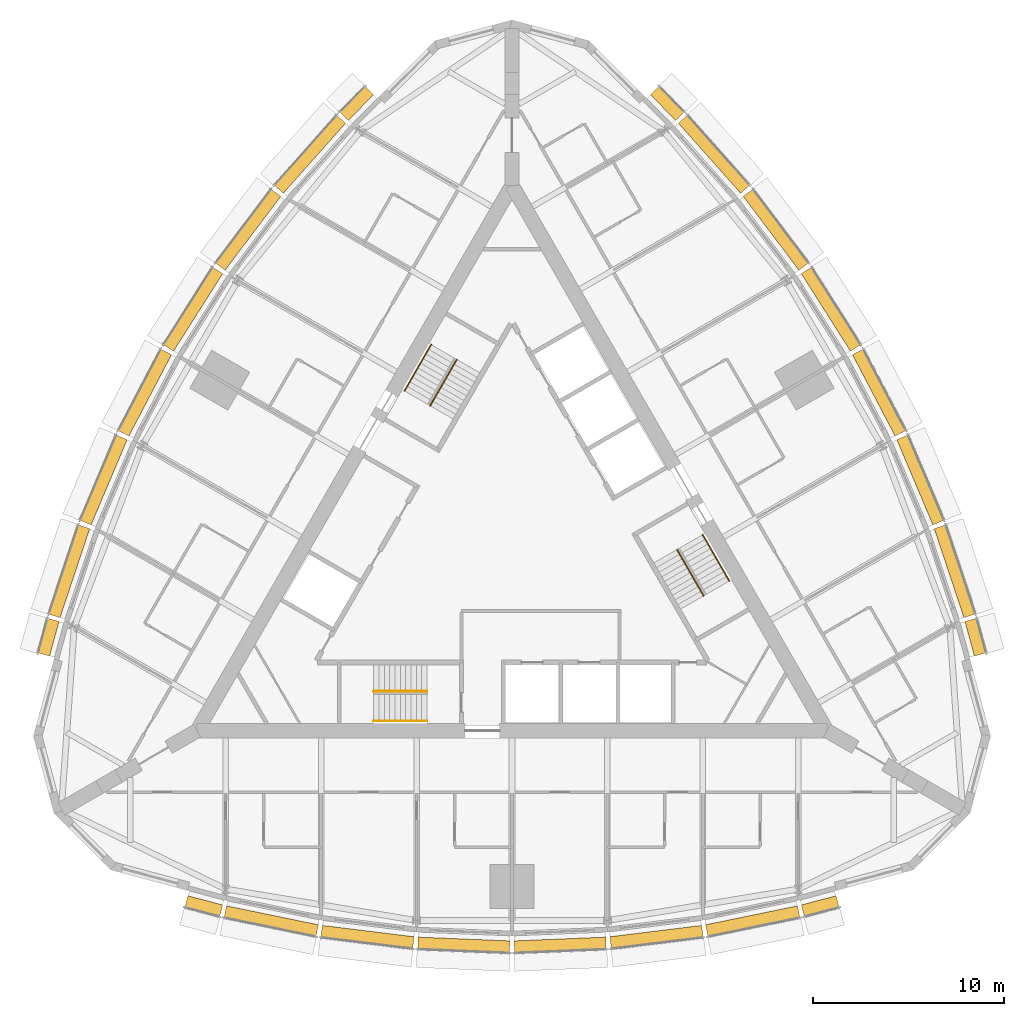
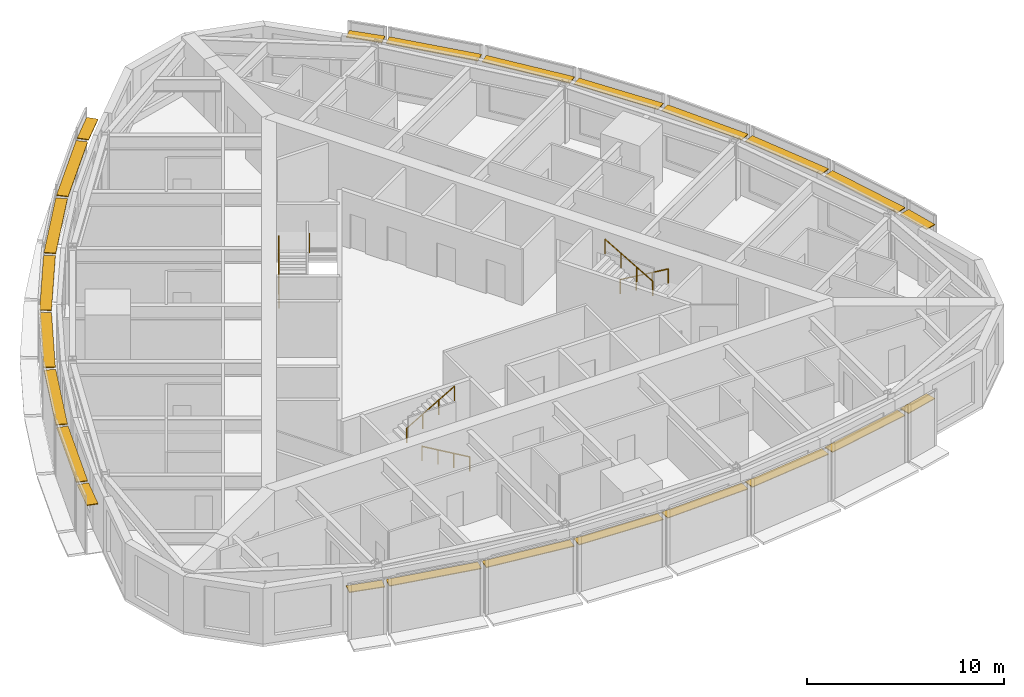
# One storey, part 15 of 15: 24 shading devices, 6 railings.
"""IFC4 building model written with IfcOpenShell, lengths in metres."""

import ifcopenshell
import ifcopenshell.guid

model = None  # the IFC model being written
_history = None  # IfcOwnerHistory: only IFC2X3 demands one
_inside = {}  # id of a spatial element -> (the spatial element, [elements in it])
_under = {}  # id of a project, library or spatial element -> (it, [spatial elements below it])
_declared = {}  # id of a project -> (the project, [libraries it declares])
_typed = {}  # id of a type object -> (the type object, [elements of that type])
_made_of = {}  # id of a material, layer set ... -> (it, [elements and type objects made of it])


def new_model(schema):
    """Start an empty IFC model of exactly this schema.

    Asked for "IFC4X3", IfcOpenShell would pick the latest addendum, in which some entities
    have other attributes; the version numbers below select the first issue.
    IFC2X3 requires an IfcOwnerHistory on every rooted entity: one is made here for all.
    """
    global model, _history
    if schema == "IFC4X3":
        model = ifcopenshell.file(schema_version=(4, 3, 0, 0))
    else:
        model = ifcopenshell.file(schema=schema)
    _inside.clear()
    _under.clear()
    _declared.clear()
    _typed.clear()
    _made_of.clear()
    _history = None
    if model.schema == "IFC2X3":
        org = make("IfcOrganization", Name="unknown")
        user = make(
            "IfcPersonAndOrganization",
            ThePerson=make("IfcPerson", FamilyName="unknown"),
            TheOrganization=org,
        )
        app = make(
            "IfcApplication",
            ApplicationDeveloper=org,
            Version="unknown",
            ApplicationFullName="unknown",
            ApplicationIdentifier="unknown",
        )
        _history = make(
            "IfcOwnerHistory",
            OwningUser=user,
            OwningApplication=app,
            ChangeAction="ADDED",
            CreationDate=0,
        )
    return model


def make(cls, **values):
    """One entity of the class cls with the attributes given. An attribute that is None is left unset."""
    return model.create_entity(
        cls, **{name: value for name, value in values.items() if value is not None}
    )


def rooted(cls, **values):
    """An entity with a GlobalId (a new one), such as an element, a storey or a relation."""
    return make(cls, GlobalId=ifcopenshell.guid.new(), OwnerHistory=_history, **values)


def si_unit(unit_type, name, prefix=None):
    """IfcSIUnit, for example si_unit("LENGTHUNIT", "METRE", prefix="MILLI")."""
    return make("IfcSIUnit", UnitType=unit_type, Prefix=prefix, Name=name)


def assignment(units):
    """IfcUnitAssignment: the units of a project."""
    return None if units is None else make("IfcUnitAssignment", Units=units)


def point(xyz):
    """IfcCartesianPoint."""
    return None if xyz is None else make("IfcCartesianPoint", Coordinates=xyz)


def direction(xyz):
    """IfcDirection."""
    return None if xyz is None else make("IfcDirection", DirectionRatios=xyz)


def frame(location, z_axis=None, x_axis=None):
    """IfcAxis2Placement3D, a coordinate frame: its origin and axes. An axis left out is left unset."""
    return make(
        "IfcAxis2Placement3D",
        Location=point(location),
        Axis=direction(z_axis),
        RefDirection=direction(x_axis),
    )


def frame_2d(location, x_axis=None):
    """IfcAxis2Placement2D, a coordinate frame in the plane: its origin and x axis."""
    return make(
        "IfcAxis2Placement2D", Location=point(location), RefDirection=direction(x_axis)
    )


def origin():
    """The frame at (0, 0, 0) with its axes left unset."""
    return frame((0.0, 0.0, 0.0))


def origin_2d():
    """The frame at (0, 0) in the plane with its x axis left unset."""
    return frame_2d((0.0, 0.0))


def place(relative_to, where):
    """IfcLocalPlacement: puts the frame where relative to a parent placement (None: the world)."""
    return make(
        "IfcLocalPlacement", PlacementRelTo=relative_to, RelativePlacement=where
    )


def context(
    kind, dimensions, precision=None, world=None, true_north=None, identifier=None
):
    """IfcGeometricRepresentationContext, for example the 3D "Model" context."""
    return make(
        "IfcGeometricRepresentationContext",
        ContextIdentifier=identifier,
        ContextType=kind,
        CoordinateSpaceDimension=dimensions,
        Precision=precision,
        WorldCoordinateSystem=world,
        TrueNorth=true_north,
    )


def subcontext(parent, identifier, kind, view, scale=None):
    """IfcGeometricRepresentationSubContext, for example "Body" below "Model"."""
    return make(
        "IfcGeometricRepresentationSubContext",
        ContextIdentifier=identifier,
        ContextType=kind,
        ParentContext=parent,
        TargetScale=scale,
        TargetView=view,
    )


def project(units=None, contexts=None):
    """IfcProject with its units and contexts."""
    return rooted(
        "IfcProject",
        Name="project",
        RepresentationContexts=contexts,
        UnitsInContext=assignment(units),
    )


def spatial(cls, under=None, at=None, **own):
    """A site, building, storey or space (cls), placed at a placement, below another one or the project."""
    s = rooted(cls, ObjectPlacement=at, **own)
    if under is not None:
        _under.setdefault(under.id(), (under, []))[1].append(s)
    return s


def profile(cls, at=None, kind="AREA", **sizes):
    """A parametric profile (cls). Its sizes go by their IFC names, for example OverallWidth=200.0."""
    return make(cls, ProfileType=kind, Position=at, **sizes)


def rectangle(**sizes):
    """IfcRectangleProfileDef."""
    return profile("IfcRectangleProfileDef", **sizes)


def circle(**sizes):
    """IfcCircleProfileDef."""
    return profile("IfcCircleProfileDef", **sizes)


def extrude(swept, where, along, depth):
    """IfcExtrudedAreaSolid: the profile swept, set in the frame where, extruded along a direction by depth."""
    return make(
        "IfcExtrudedAreaSolid",
        SweptArea=swept,
        Position=where,
        ExtrudedDirection=direction(along),
        Depth=depth,
    )


def shape(context_of_items, identifier, shape_type, items):
    """IfcShapeRepresentation: the items that make up one representation, for example the "Body"."""
    return make(
        "IfcShapeRepresentation",
        ContextOfItems=context_of_items,
        RepresentationIdentifier=identifier,
        RepresentationType=shape_type,
        Items=items,
    )


def material(Name=None, Category=None):
    """IfcMaterial."""
    return make("IfcMaterial", Name=Name, Category=Category)


def made_of(thing, what):
    """Note that an element or type object is made of a material, layer set ...; save() writes the relation."""
    if what is not None:
        _made_of.setdefault(what.id(), (what, []))[1].append(thing)
    return thing


def type_object(cls, material=None, **own):
    """A type object (cls), such as IfcWallType, which elements share."""
    return made_of(rooted(cls, **own), material)


def element(
    cls,
    number,
    at=None,
    inside=None,
    cuts=None,
    type_object=None,
    material=None,
    context=None,
    identifier="Body",
    shape_type=None,
    held_by="IfcProductDefinitionShape",
    body=None,
    shapes=None,
    **own,
):
    """One element of the class cls, such as IfcWall. Its Tag is "e" and its number.

    at: its placement. inside: the storey or other place that contains it. cuts: it is an
    opening in that element (IfcRelVoidsElement). A single representation is given by context,
    identifier, shape_type and body (its items); several are given by shapes. held_by: the class
    of the entity that holds the representations. save() writes the other relations.
    """
    e = rooted(cls, Tag="e%d" % number, ObjectPlacement=at, **own)
    if body is not None:
        shapes = [shape(context, identifier, shape_type, body)]
    if shapes is not None:
        e.Representation = make(held_by, Representations=shapes)
    if inside is not None:
        _inside.setdefault(inside.id(), (inside, []))[1].append(e)
    if cuts is not None:
        rooted(
            "IfcRelVoidsElement", RelatingBuildingElement=cuts, RelatedOpeningElement=e
        )
    if type_object is not None:
        _typed.setdefault(type_object.id(), (type_object, []))[1].append(e)
    return made_of(e, material)


def aggregate(whole, parts):
    """IfcRelAggregates: a whole, such as a stair, and the parts it consists of."""
    return rooted("IfcRelAggregates", RelatingObject=whole, RelatedObjects=parts)


def save(model, path):
    """Write the relations noted so far, then the file.

    IfcRelAggregates (storeys below a building ...), IfcRelContainedInSpatialStructure (elements
    in a storey), IfcRelDefinesByType, IfcRelAssociatesMaterial and IfcRelDeclares: one each for
    every whole, place, type object, material and project.
    """
    for whole, parts in _under.values():
        aggregate(whole, parts)
    for where, things in _inside.values():
        rooted(
            "IfcRelContainedInSpatialStructure",
            RelatedElements=things,
            RelatingStructure=where,
        )
    for kind, things in _typed.values():
        rooted("IfcRelDefinesByType", RelatedObjects=things, RelatingType=kind)
    for what, things in _made_of.values():
        rooted("IfcRelAssociatesMaterial", RelatedObjects=things, RelatingMaterial=what)
    for by, libraries in _declared.values():
        rooted("IfcRelDeclares", RelatingContext=by, RelatedDefinitions=libraries)
    model.write(path)


model = new_model("IFC4")

# Units and contexts
model_context = context("Model", 3, precision=1e-05, world=origin(), true_north=direction((0.0, 1.0)))
body_context = subcontext(model_context, "Body", "Model", "MODEL_VIEW")
ifc_project = project(units=[si_unit("LENGTHUNIT", "METRE"), si_unit("AREAUNIT", "SQUARE_METRE"), si_unit("VOLUMEUNIT", "CUBIC_METRE"), si_unit("PLANEANGLEUNIT", "RADIAN"), si_unit("MASSUNIT", "GRAM", prefix="KILO")], contexts=[model_context])

# Site, building, storey
site_placement = place(None, origin())
site = spatial("IfcSite", under=ifc_project, at=site_placement, CompositionType="ELEMENT")
building_placement = place(site_placement, origin())
building = spatial("IfcBuilding", under=site, at=building_placement, Name="Trikona Tower", CompositionType="ELEMENT")
storey_placement = place(building_placement, frame((0.0, 0.0, 222.5)))
storey = spatial("IfcBuildingStorey", under=building, at=storey_placement, Name="L59", CompositionType="ELEMENT", Elevation=222.5)

# Shading devices
ifc_material_1 = material(Name="Aluminium louvre blade, pale anodised", Category="aluminium")
shading_device_type = type_object("IfcShadingDeviceType", Name="Cavity louvre 600", PredefinedType="USERDEFINED", material=ifc_material_1)
shading_device_1_placement = place(storey_placement, frame((-16.14404296875, -18.707763671875, 2.97509765625), z_axis=(0.0, 0.0, 1.0), x_axis=(0.966993038714, -0.254802792527, 0.0)))
element("IfcShadingDevice", 1, at=shading_device_1_placement, inside=storey, type_object=shading_device_type, Name="Cavity louvre L59-00", ObjectType="LOUVRE", PredefinedType="USERDEFINED", context=body_context, shape_type="SweptSolid", body=[
    extrude(rectangle(XDim=1.87841796875, YDim=0.60009765625, at=origin_2d()), origin(), (0.0, 0.0, 1.0), 0.050048828125),
])
shading_device_2_placement = place(storey_placement, frame((-12.614013671875, -19.492919921875, 2.97509765625), z_axis=(0.0, 0.0, 1.0), x_axis=(0.979457514864, -0.201650629992, 0.0)))
element("IfcShadingDevice", 2, at=shading_device_2_placement, inside=storey, type_object=shading_device_type, Name="Cavity louvre L59-01", ObjectType="LOUVRE", PredefinedType="USERDEFINED", context=body_context, shape_type="SweptSolid", body=[
    extrude(rectangle(XDim=4.914794921875, YDim=0.60009765625, at=origin_2d()), origin(), (0.0, 0.0, 1.0), 0.050048828125),
])
shading_device_3_placement = place(storey_placement, frame((-7.5693359375, -20.323974609375, 2.97509765625), z_axis=(0.0, 0.0, 1.0), x_axis=(0.992455266199, -0.122607277901, 0.0)))
element("IfcShadingDevice", 3, at=shading_device_3_placement, inside=storey, type_object=shading_device_type, Name="Cavity louvre L59-02", ObjectType="LOUVRE", PredefinedType="USERDEFINED", context=body_context, shape_type="SweptSolid", body=[
    extrude(rectangle(XDim=4.847900390625, YDim=0.60009765625, at=origin_2d()), origin(), (0.0, 0.0, 1.0), 0.050048828125),
])
for number, where, z_axis, x_axis, name in (
    (4, (-2.523193359375, -20.739501953125, 2.97509765625), (0.0, 0.0, 1.0), (0.999153186307, -0.041144991109, 0.0), "Cavity louvre L59-03"),
    (5, (2.523193359375, -20.739501953125, 2.97509765625), (0.0, 0.0, 1.0), (0.999153186307, 0.041144991109, 0.0), "Cavity louvre L59-04"),
):
    element("IfcShadingDevice", number, at=place(storey_placement, frame(where, z_axis=z_axis, x_axis=x_axis)), inside=storey, type_object=shading_device_type, Name=name, ObjectType="LOUVRE", PredefinedType="USERDEFINED", context=body_context, shape_type="SweptSolid", body=[
        extrude(rectangle(XDim=4.814208984375, YDim=0.60009765625, at=origin_2d()), origin(), (0.0, 0.0, 1.0), 0.050048828125),
    ])
shading_device_4_placement = place(storey_placement, frame((7.5693359375, -20.323974609375, 2.97509765625), z_axis=(0.0, 0.0, 1.0), x_axis=(0.992455266199, 0.122607277901, 0.0)))
element("IfcShadingDevice", 6, at=shading_device_4_placement, inside=storey, type_object=shading_device_type, Name="Cavity louvre L59-05", ObjectType="LOUVRE", PredefinedType="USERDEFINED", context=body_context, shape_type="SweptSolid", body=[
    extrude(rectangle(XDim=4.847900390625, YDim=0.60009765625, at=origin_2d()), origin(), (0.0, 0.0, 1.0), 0.050048828125),
])
shading_device_5_placement = place(storey_placement, frame((12.614013671875, -19.492919921875, 2.97509765625), z_axis=(0.0, 0.0, 1.0), x_axis=(0.979457514864, 0.201650629992, 0.0)))
element("IfcShadingDevice", 7, at=shading_device_5_placement, inside=storey, type_object=shading_device_type, Name="Cavity louvre L59-06", ObjectType="LOUVRE", PredefinedType="USERDEFINED", context=body_context, shape_type="SweptSolid", body=[
    extrude(rectangle(XDim=4.914794921875, YDim=0.60009765625, at=origin_2d()), origin(), (0.0, 0.0, 1.0), 0.050048828125),
])
for number, where, z_axis, x_axis, name in (
    (8, (16.14404296875, -18.707763671875, 2.97509765625), (0.0, 0.0, 1.0), (0.966993038714, 0.254802792527, 0.0), "Cavity louvre L59-07"),
    (9, (24.273193359375, -4.627197265625, 2.97509765625), (0.0, 0.0, 1.0), (-0.262822408229, 0.964844226667, 0.0), "Cavity louvre L59-12"),
):
    element("IfcShadingDevice", number, at=place(storey_placement, frame(where, z_axis=z_axis, x_axis=x_axis)), inside=storey, type_object=shading_device_type, Name=name, ObjectType="LOUVRE", PredefinedType="USERDEFINED", context=body_context, shape_type="SweptSolid", body=[
        extrude(rectangle(XDim=1.87841796875, YDim=0.60009765625, at=origin_2d()), origin(), (0.0, 0.0, 1.0), 0.050048828125),
    ])
shading_device_6_placement = place(storey_placement, frame((23.1884765625, -1.177490234375, 2.97509765625), z_axis=(0.0, 0.0, 1.0), x_axis=(-0.315092532747, 0.949060954737, 0.0)))
element("IfcShadingDevice", 10, at=shading_device_6_placement, inside=storey, type_object=shading_device_type, Name="Cavity louvre L59-13", ObjectType="LOUVRE", PredefinedType="USERDEFINED", context=body_context, shape_type="SweptSolid", body=[
    extrude(rectangle(XDim=4.914794921875, YDim=0.60009765625, at=origin_2d()), origin(), (0.0, 0.0, 1.0), 0.050048828125),
])
shading_device_7_placement = place(storey_placement, frame((21.385498046875, 3.606689453125, 2.97509765625), z_axis=(0.0, 0.0, 1.0), x_axis=(-0.390051437015, 0.920793069306, 0.0)))
element("IfcShadingDevice", 11, at=shading_device_7_placement, inside=storey, type_object=shading_device_type, Name="Cavity louvre L59-14", ObjectType="LOUVRE", PredefinedType="USERDEFINED", context=body_context, shape_type="SweptSolid", body=[
    extrude(rectangle(XDim=4.847900390625, YDim=0.60009765625, at=origin_2d()), origin(), (0.0, 0.0, 1.0), 0.050048828125),
])
for number, where, z_axis, x_axis, name in (
    (12, (19.222412109375, 8.1845703125, 2.97509765625), (0.0, 0.0, 1.0), (-0.463951716224, 0.885860488459, 0.0), "Cavity louvre L59-15"),
    (13, (16.69921875, 12.554931640625, 2.97509765625), (0.0, 0.0, 1.0), (-0.535204777743, 0.844722348397, 0.0), "Cavity louvre L59-16"),
):
    element("IfcShadingDevice", number, at=place(storey_placement, frame(where, z_axis=z_axis, x_axis=x_axis)), inside=storey, type_object=shading_device_type, Name=name, ObjectType="LOUVRE", PredefinedType="USERDEFINED", context=body_context, shape_type="SweptSolid", body=[
        extrude(rectangle(XDim=4.814208984375, YDim=0.60009765625, at=origin_2d()), origin(), (0.0, 0.0, 1.0), 0.050048828125),
    ])
shading_device_8_placement = place(storey_placement, frame((13.81640625, 16.717041015625, 2.97509765625), z_axis=(0.0, 0.0, 1.0), x_axis=(-0.602401684924, 0.798193090674, 0.0)))
element("IfcShadingDevice", 14, at=shading_device_8_placement, inside=storey, type_object=shading_device_type, Name="Cavity louvre L59-17", ObjectType="LOUVRE", PredefinedType="USERDEFINED", context=body_context, shape_type="SweptSolid", body=[
    extrude(rectangle(XDim=4.847900390625, YDim=0.60009765625, at=origin_2d()), origin(), (0.0, 0.0, 1.0), 0.050048828125),
])
shading_device_9_placement = place(storey_placement, frame((10.574462890625, 20.67041015625, 2.97509765625), z_axis=(0.0, 0.0, 1.0), x_axis=(-0.664367239113, 0.747406296196, 0.0)))
element("IfcShadingDevice", 15, at=shading_device_9_placement, inside=storey, type_object=shading_device_type, Name="Cavity louvre L59-18", ObjectType="LOUVRE", PredefinedType="USERDEFINED", context=body_context, shape_type="SweptSolid", body=[
    extrude(rectangle(XDim=4.914794921875, YDim=0.60009765625, at=origin_2d()), origin(), (0.0, 0.0, 1.0), 0.050048828125),
])
for number, where, z_axis, x_axis, name in (
    (16, (8.12939453125, 23.3349609375, 2.97509765625), (0.0, 0.0, 1.0), (-0.704151057285, 0.710050201412, 0.0), "Cavity louvre L59-19"),
    (17, (-8.12939453125, 23.3349609375, 2.97509765625), (0.0, 0.0, 1.0), (-0.704151057285, -0.710050201412, 0.0), "Cavity louvre L59-24"),
):
    element("IfcShadingDevice", number, at=place(storey_placement, frame(where, z_axis=z_axis, x_axis=x_axis)), inside=storey, type_object=shading_device_type, Name=name, ObjectType="LOUVRE", PredefinedType="USERDEFINED", context=body_context, shape_type="SweptSolid", body=[
        extrude(rectangle(XDim=1.87841796875, YDim=0.60009765625, at=origin_2d()), origin(), (0.0, 0.0, 1.0), 0.050048828125),
    ])
shading_device_10_placement = place(storey_placement, frame((-10.574462890625, 20.67041015625, 2.97509765625), z_axis=(0.0, 0.0, 1.0), x_axis=(-0.664367239113, -0.747406296196, 0.0)))
element("IfcShadingDevice", 18, at=shading_device_10_placement, inside=storey, type_object=shading_device_type, Name="Cavity louvre L59-25", ObjectType="LOUVRE", PredefinedType="USERDEFINED", context=body_context, shape_type="SweptSolid", body=[
    extrude(rectangle(XDim=4.914794921875, YDim=0.60009765625, at=origin_2d()), origin(), (0.0, 0.0, 1.0), 0.050048828125),
])
shading_device_11_placement = place(storey_placement, frame((-13.81640625, 16.717041015625, 2.97509765625), z_axis=(0.0, 0.0, 1.0), x_axis=(-0.602401684924, -0.798193090674, 0.0)))
element("IfcShadingDevice", 19, at=shading_device_11_placement, inside=storey, type_object=shading_device_type, Name="Cavity louvre L59-26", ObjectType="LOUVRE", PredefinedType="USERDEFINED", context=body_context, shape_type="SweptSolid", body=[
    extrude(rectangle(XDim=4.847900390625, YDim=0.60009765625, at=origin_2d()), origin(), (0.0, 0.0, 1.0), 0.050048828125),
])
for number, where, z_axis, x_axis, name in (
    (20, (-16.69921875, 12.554931640625, 2.97509765625), (0.0, 0.0, 1.0), (-0.535204777743, -0.844722348397, 0.0), "Cavity louvre L59-27"),
    (21, (-19.222412109375, 8.1845703125, 2.97509765625), (0.0, 0.0, 1.0), (-0.463951716224, -0.885860488459, 0.0), "Cavity louvre L59-28"),
):
    element("IfcShadingDevice", number, at=place(storey_placement, frame(where, z_axis=z_axis, x_axis=x_axis)), inside=storey, type_object=shading_device_type, Name=name, ObjectType="LOUVRE", PredefinedType="USERDEFINED", context=body_context, shape_type="SweptSolid", body=[
        extrude(rectangle(XDim=4.814208984375, YDim=0.60009765625, at=origin_2d()), origin(), (0.0, 0.0, 1.0), 0.050048828125),
    ])
shading_device_12_placement = place(storey_placement, frame((-21.385498046875, 3.606689453125, 2.97509765625), z_axis=(0.0, 0.0, 1.0), x_axis=(-0.390051437015, -0.920793069306, 0.0)))
element("IfcShadingDevice", 22, at=shading_device_12_placement, inside=storey, type_object=shading_device_type, Name="Cavity louvre L59-29", ObjectType="LOUVRE", PredefinedType="USERDEFINED", context=body_context, shape_type="SweptSolid", body=[
    extrude(rectangle(XDim=4.847900390625, YDim=0.60009765625, at=origin_2d()), origin(), (0.0, 0.0, 1.0), 0.050048828125),
])
shading_device_13_placement = place(storey_placement, frame((-23.1884765625, -1.177490234375, 2.97509765625), z_axis=(0.0, 0.0, 1.0), x_axis=(-0.315092532747, -0.949060954737, 0.0)))
element("IfcShadingDevice", 23, at=shading_device_13_placement, inside=storey, type_object=shading_device_type, Name="Cavity louvre L59-30", ObjectType="LOUVRE", PredefinedType="USERDEFINED", context=body_context, shape_type="SweptSolid", body=[
    extrude(rectangle(XDim=4.914794921875, YDim=0.60009765625, at=origin_2d()), origin(), (0.0, 0.0, 1.0), 0.050048828125),
])
shading_device_14_placement = place(storey_placement, frame((-24.273193359375, -4.627197265625, 2.97509765625), z_axis=(0.0, 0.0, 1.0), x_axis=(-0.262822408229, -0.964844226667, 0.0)))
element("IfcShadingDevice", 24, at=shading_device_14_placement, inside=storey, type_object=shading_device_type, Name="Cavity louvre L59-31", ObjectType="LOUVRE", PredefinedType="USERDEFINED", context=body_context, shape_type="SweptSolid", body=[
    extrude(rectangle(XDim=1.87841796875, YDim=0.60009765625, at=origin_2d()), origin(), (0.0, 0.0, 1.0), 0.050048828125),
])

# Railings
ifc_material_2 = material(Name="Stainless steel handrail", Category="steel")
railing_type = type_object("IfcRailingType", Name="Stair handrail", PredefinedType="HANDRAIL", material=ifc_material_2)
railing_1_placement = place(storey_placement, frame((-4.449951171875, -9.016357421875, 0.16357421875)))
element("IfcRailing", 25, at=railing_1_placement, inside=storey, type_object=railing_type, Name="Stair handrail A L59 1", PredefinedType="HANDRAIL", context=body_context, shape_type="SweptSolid", body=[
    extrude(circle(Radius=0.02392578125, at=origin_2d()), frame((0.0, 0.0, 0.8759765625), z_axis=(-0.863360870873, 0.0, 0.504586966384), x_axis=(0.0, -1.0, 0.0)), (0.0, 0.0, 1.0), 3.2431640625),
    extrude(circle(Radius=0.02099609375, at=origin_2d()), origin(), (0.0, 0.0, 1.0), 0.851806640625),
    extrude(circle(Radius=0.02099609375, at=origin_2d()), frame((-0.933349609375, 0.0, 0.54541015625)), (0.0, 0.0, 1.0), 0.851806640625),
    extrude(circle(Radius=0.02099609375, at=origin_2d()), frame((-1.86669921875, 0.0, 1.091064453125)), (0.0, 0.0, 1.0), 0.851806640625),
    extrude(circle(Radius=0.02099609375, at=origin_2d()), frame((-2.800048828125, 0.0, 1.636474609375)), (0.0, 0.0, 1.0), 0.851806640625),
])
railing_2_placement = place(storey_placement, frame((-7.25, -7.46630859375, 1.963623046875)))
element("IfcRailing", 26, at=railing_2_placement, inside=storey, type_object=railing_type, Name="Stair handrail A L59 2", PredefinedType="HANDRAIL", context=body_context, shape_type="SweptSolid", body=[
    extrude(circle(Radius=0.02392578125, at=origin_2d()), frame((0.0, 0.0, 0.8759765625), z_axis=(0.863360870873, 0.0, 0.504586966384), x_axis=(0.0, 1.0, 0.0)), (0.0, 0.0, 1.0), 3.2431640625),
    extrude(circle(Radius=0.02099609375, at=origin_2d()), origin(), (0.0, 0.0, 1.0), 0.851806640625),
    extrude(circle(Radius=0.02099609375, at=origin_2d()), frame((0.933349609375, 0.0, 0.54541015625)), (0.0, 0.0, 1.0), 0.851806640625),
    extrude(circle(Radius=0.02099609375, at=origin_2d()), frame((1.86669921875, 0.0, 1.091064453125)), (0.0, 0.0, 1.0), 0.851806640625),
    extrude(circle(Radius=0.02099609375, at=origin_2d()), frame((2.800048828125, 0.0, 1.636474609375)), (0.0, 0.0, 1.0), 0.851806640625),
])
railing_3_placement = place(storey_placement, frame((9.9833984375, 0.740966796875, 0.16357421875)))
element("IfcRailing", 27, at=railing_3_placement, inside=storey, type_object=railing_type, Name="Stair handrail B L59 1", PredefinedType="HANDRAIL", context=body_context, shape_type="SweptSolid", body=[
    extrude(circle(Radius=0.02392578125, at=origin_2d()), frame((0.0, 0.0, 0.8759765625), z_axis=(0.431636334334, -0.747723004699, 0.504579412111), x_axis=(0.866056369097, 0.49994636267, 0.0)), (0.0, 0.0, 1.0), 3.2431640625),
    extrude(circle(Radius=0.02099609375, at=origin_2d()), origin(), (0.0, 0.0, 1.0), 0.851806640625),
    extrude(circle(Radius=0.02099609375, at=origin_2d()), frame((0.466552734375, -0.808349609375, 0.54541015625)), (0.0, 0.0, 1.0), 0.851806640625),
    extrude(circle(Radius=0.02099609375, at=origin_2d()), frame((0.933349609375, -1.61669921875, 1.091064453125)), (0.0, 0.0, 1.0), 0.851806640625),
    extrude(circle(Radius=0.02099609375, at=origin_2d()), frame((1.39990234375, -2.425048828125, 1.636474609375)), (0.0, 0.0, 1.0), 0.851806640625),
])
railing_4_placement = place(storey_placement, frame((10.041015625, -2.458984375, 1.963623046875)))
element("IfcRailing", 28, at=railing_4_placement, inside=storey, type_object=railing_type, Name="Stair handrail B L59 2", PredefinedType="HANDRAIL", context=body_context, shape_type="SweptSolid", body=[
    extrude(circle(Radius=0.02392578125, at=origin_2d()), frame((0.0, 0.0, 0.8759765625), z_axis=(-0.431636334334, 0.747723004699, 0.504579412111), x_axis=(-0.866056369097, -0.49994636267, 0.0)), (0.0, 0.0, 1.0), 3.2431640625),
    extrude(circle(Radius=0.02099609375, at=origin_2d()), origin(), (0.0, 0.0, 1.0), 0.851806640625),
    extrude(circle(Radius=0.02099609375, at=origin_2d()), frame((-0.466552734375, 0.808349609375, 0.54541015625)), (0.0, 0.0, 1.0), 0.851806640625),
    extrude(circle(Radius=0.02099609375, at=origin_2d()), frame((-0.933349609375, 1.61669921875, 1.091064453125)), (0.0, 0.0, 1.0), 0.851806640625),
    extrude(circle(Radius=0.02099609375, at=origin_2d()), frame((-1.39990234375, 2.425048828125, 1.636474609375)), (0.0, 0.0, 1.0), 0.851806640625),
])
railing_5_placement = place(storey_placement, frame((-5.63330078125, 8.275390625, 0.16357421875)))
element("IfcRailing", 29, at=railing_5_placement, inside=storey, type_object=railing_type, Name="Stair handrail C L59 1", PredefinedType="HANDRAIL", context=body_context, shape_type="SweptSolid", body=[
    extrude(circle(Radius=0.02392578125, at=origin_2d()), frame((0.0, 0.0, 0.8759765625), z_axis=(0.431660630283, 0.747689811644, 0.504607813879), x_axis=(-0.866034573852, 0.49998411664, 0.0)), (0.0, 0.0, 1.0), 3.2431640625),
    extrude(circle(Radius=0.02099609375, at=origin_2d()), origin(), (0.0, 0.0, 1.0), 0.851806640625),
    extrude(circle(Radius=0.02099609375, at=origin_2d()), frame((0.466552734375, 0.808349609375, 0.54541015625)), (0.0, 0.0, 1.0), 0.851806640625),
    extrude(circle(Radius=0.02099609375, at=origin_2d()), frame((0.933349609375, 1.616455078125, 1.091064453125)), (0.0, 0.0, 1.0), 0.851806640625),
    extrude(circle(Radius=0.02099609375, at=origin_2d()), frame((1.39990234375, 2.4248046875, 1.636474609375)), (0.0, 0.0, 1.0), 0.851806640625),
])
railing_6_placement = place(storey_placement, frame((-2.89111328125, 9.92529296875, 1.963623046875)))
element("IfcRailing", 30, at=railing_6_placement, inside=storey, type_object=railing_type, Name="Stair handrail C L59 2", PredefinedType="HANDRAIL", context=body_context, shape_type="SweptSolid", body=[
    extrude(circle(Radius=0.02392578125, at=origin_2d()), frame((0.0, 0.0, 0.8759765625), z_axis=(-0.431636334334, -0.747723004699, 0.504579412111), x_axis=(0.866056369097, -0.49994636267, 0.0)), (0.0, 0.0, 1.0), 3.2431640625),
    extrude(circle(Radius=0.02099609375, at=origin_2d()), origin(), (0.0, 0.0, 1.0), 0.851806640625),
    extrude(circle(Radius=0.02099609375, at=origin_2d()), frame((-0.466552734375, -0.808349609375, 0.54541015625)), (0.0, 0.0, 1.0), 0.851806640625),
    extrude(circle(Radius=0.02099609375, at=origin_2d()), frame((-0.933349609375, -1.61669921875, 1.091064453125)), (0.0, 0.0, 1.0), 0.851806640625),
    extrude(circle(Radius=0.02099609375, at=origin_2d()), frame((-1.39990234375, -2.425048828125, 1.636474609375)), (0.0, 0.0, 1.0), 0.851806640625),
])

save(model, "model.ifc")
